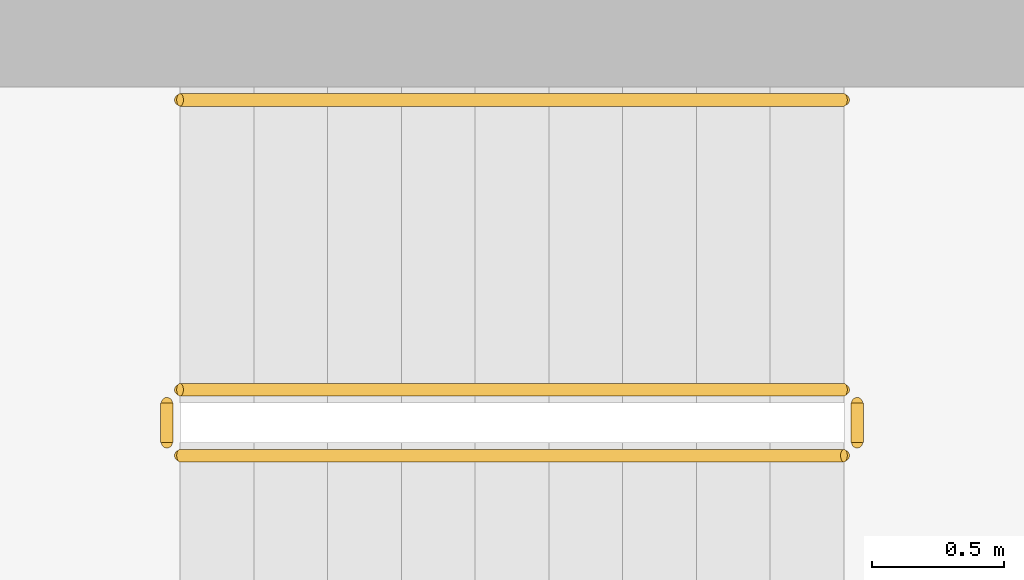
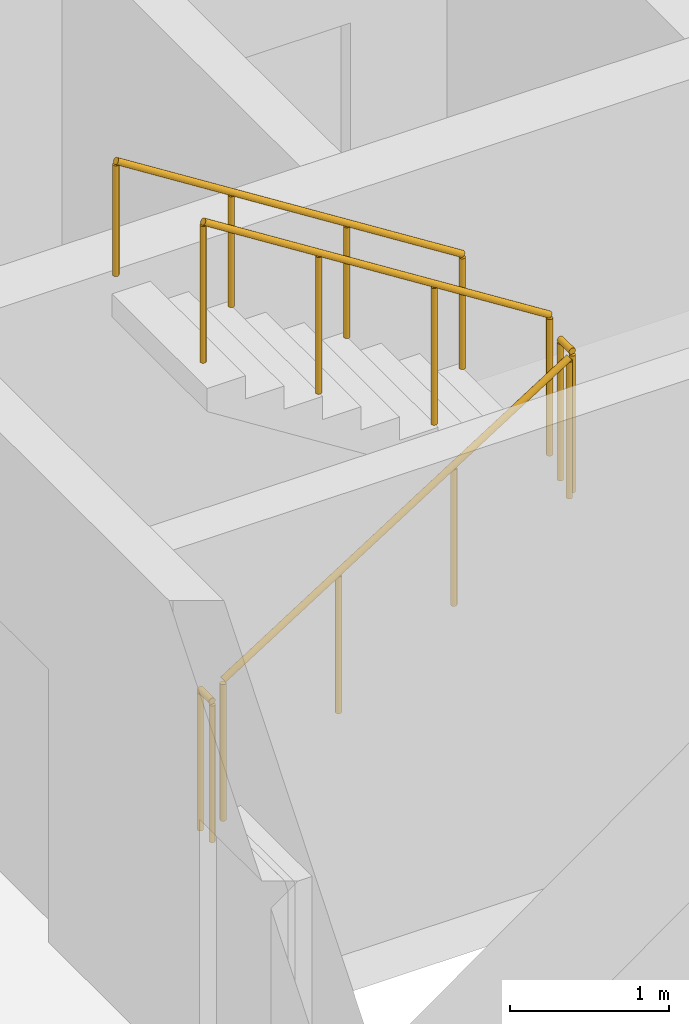
# One storey, part 13 of 15: 5 railings.
"""IFC4 building model written with IfcOpenShell, lengths in metres."""

import ifcopenshell
import ifcopenshell.guid

model = None  # the IFC model being written
_history = None  # IfcOwnerHistory: only IFC2X3 demands one
_inside = {}  # id of a spatial element -> (the spatial element, [elements in it])
_under = {}  # id of a project, library or spatial element -> (it, [spatial elements below it])
_declared = {}  # id of a project -> (the project, [libraries it declares])
_typed = {}  # id of a type object -> (the type object, [elements of that type])
_made_of = {}  # id of a material, layer set ... -> (it, [elements and type objects made of it])


def new_model(schema):
    """Start an empty IFC model of exactly this schema.

    Asked for "IFC4X3", IfcOpenShell would pick the latest addendum, in which some entities
    have other attributes; the version numbers below select the first issue.
    IFC2X3 requires an IfcOwnerHistory on every rooted entity: one is made here for all.
    """
    global model, _history
    if schema == "IFC4X3":
        model = ifcopenshell.file(schema_version=(4, 3, 0, 0))
    else:
        model = ifcopenshell.file(schema=schema)
    _inside.clear()
    _under.clear()
    _declared.clear()
    _typed.clear()
    _made_of.clear()
    _history = None
    if model.schema == "IFC2X3":
        org = make("IfcOrganization", Name="unknown")
        user = make(
            "IfcPersonAndOrganization",
            ThePerson=make("IfcPerson", FamilyName="unknown"),
            TheOrganization=org,
        )
        app = make(
            "IfcApplication",
            ApplicationDeveloper=org,
            Version="unknown",
            ApplicationFullName="unknown",
            ApplicationIdentifier="unknown",
        )
        _history = make(
            "IfcOwnerHistory",
            OwningUser=user,
            OwningApplication=app,
            ChangeAction="ADDED",
            CreationDate=0,
        )
    return model


def make(cls, **values):
    """One entity of the class cls with the attributes given. An attribute that is None is left unset."""
    return model.create_entity(
        cls, **{name: value for name, value in values.items() if value is not None}
    )


def rooted(cls, **values):
    """An entity with a GlobalId (a new one), such as an element, a storey or a relation."""
    return make(cls, GlobalId=ifcopenshell.guid.new(), OwnerHistory=_history, **values)


def si_unit(unit_type, name, prefix=None):
    """IfcSIUnit, for example si_unit("LENGTHUNIT", "METRE", prefix="MILLI")."""
    return make("IfcSIUnit", UnitType=unit_type, Prefix=prefix, Name=name)


def assignment(units):
    """IfcUnitAssignment: the units of a project."""
    return None if units is None else make("IfcUnitAssignment", Units=units)


def point(xyz):
    """IfcCartesianPoint."""
    return None if xyz is None else make("IfcCartesianPoint", Coordinates=xyz)


def direction(xyz):
    """IfcDirection."""
    return None if xyz is None else make("IfcDirection", DirectionRatios=xyz)


def frame(location, z_axis=None, x_axis=None):
    """IfcAxis2Placement3D, a coordinate frame: its origin and axes. An axis left out is left unset."""
    return make(
        "IfcAxis2Placement3D",
        Location=point(location),
        Axis=direction(z_axis),
        RefDirection=direction(x_axis),
    )


def frame_2d(location, x_axis=None):
    """IfcAxis2Placement2D, a coordinate frame in the plane: its origin and x axis."""
    return make(
        "IfcAxis2Placement2D", Location=point(location), RefDirection=direction(x_axis)
    )


def origin():
    """The frame at (0, 0, 0) with its axes left unset."""
    return frame((0.0, 0.0, 0.0))


def origin_2d():
    """The frame at (0, 0) in the plane with its x axis left unset."""
    return frame_2d((0.0, 0.0))


def place(relative_to, where):
    """IfcLocalPlacement: puts the frame where relative to a parent placement (None: the world)."""
    return make(
        "IfcLocalPlacement", PlacementRelTo=relative_to, RelativePlacement=where
    )


def context(
    kind, dimensions, precision=None, world=None, true_north=None, identifier=None
):
    """IfcGeometricRepresentationContext, for example the 3D "Model" context."""
    return make(
        "IfcGeometricRepresentationContext",
        ContextIdentifier=identifier,
        ContextType=kind,
        CoordinateSpaceDimension=dimensions,
        Precision=precision,
        WorldCoordinateSystem=world,
        TrueNorth=true_north,
    )


def subcontext(parent, identifier, kind, view, scale=None):
    """IfcGeometricRepresentationSubContext, for example "Body" below "Model"."""
    return make(
        "IfcGeometricRepresentationSubContext",
        ContextIdentifier=identifier,
        ContextType=kind,
        ParentContext=parent,
        TargetScale=scale,
        TargetView=view,
    )


def project(units=None, contexts=None):
    """IfcProject with its units and contexts."""
    return rooted(
        "IfcProject",
        Name="project",
        RepresentationContexts=contexts,
        UnitsInContext=assignment(units),
    )


def spatial(cls, under=None, at=None, **own):
    """A site, building, storey or space (cls), placed at a placement, below another one or the project."""
    s = rooted(cls, ObjectPlacement=at, **own)
    if under is not None:
        _under.setdefault(under.id(), (under, []))[1].append(s)
    return s


def profile(cls, at=None, kind="AREA", **sizes):
    """A parametric profile (cls). Its sizes go by their IFC names, for example OverallWidth=200.0."""
    return make(cls, ProfileType=kind, Position=at, **sizes)


def circle(**sizes):
    """IfcCircleProfileDef."""
    return profile("IfcCircleProfileDef", **sizes)


def extrude(swept, where, along, depth):
    """IfcExtrudedAreaSolid: the profile swept, set in the frame where, extruded along a direction by depth."""
    return make(
        "IfcExtrudedAreaSolid",
        SweptArea=swept,
        Position=where,
        ExtrudedDirection=direction(along),
        Depth=depth,
    )


def shape(context_of_items, identifier, shape_type, items):
    """IfcShapeRepresentation: the items that make up one representation, for example the "Body"."""
    return make(
        "IfcShapeRepresentation",
        ContextOfItems=context_of_items,
        RepresentationIdentifier=identifier,
        RepresentationType=shape_type,
        Items=items,
    )


def material(Name=None, Category=None):
    """IfcMaterial."""
    return make("IfcMaterial", Name=Name, Category=Category)


def made_of(thing, what):
    """Note that an element or type object is made of a material, layer set ...; save() writes the relation."""
    if what is not None:
        _made_of.setdefault(what.id(), (what, []))[1].append(thing)
    return thing


def type_object(cls, material=None, **own):
    """A type object (cls), such as IfcWallType, which elements share."""
    return made_of(rooted(cls, **own), material)


def element(
    cls,
    number,
    at=None,
    inside=None,
    cuts=None,
    type_object=None,
    material=None,
    context=None,
    identifier="Body",
    shape_type=None,
    held_by="IfcProductDefinitionShape",
    body=None,
    shapes=None,
    **own,
):
    """One element of the class cls, such as IfcWall. Its Tag is "e" and its number.

    at: its placement. inside: the storey or other place that contains it. cuts: it is an
    opening in that element (IfcRelVoidsElement). A single representation is given by context,
    identifier, shape_type and body (its items); several are given by shapes. held_by: the class
    of the entity that holds the representations. save() writes the other relations.
    """
    e = rooted(cls, Tag="e%d" % number, ObjectPlacement=at, **own)
    if body is not None:
        shapes = [shape(context, identifier, shape_type, body)]
    if shapes is not None:
        e.Representation = make(held_by, Representations=shapes)
    if inside is not None:
        _inside.setdefault(inside.id(), (inside, []))[1].append(e)
    if cuts is not None:
        rooted(
            "IfcRelVoidsElement", RelatingBuildingElement=cuts, RelatedOpeningElement=e
        )
    if type_object is not None:
        _typed.setdefault(type_object.id(), (type_object, []))[1].append(e)
    return made_of(e, material)


def aggregate(whole, parts):
    """IfcRelAggregates: a whole, such as a stair, and the parts it consists of."""
    return rooted("IfcRelAggregates", RelatingObject=whole, RelatedObjects=parts)


def save(model, path):
    """Write the relations noted so far, then the file.

    IfcRelAggregates (storeys below a building ...), IfcRelContainedInSpatialStructure (elements
    in a storey), IfcRelDefinesByType, IfcRelAssociatesMaterial and IfcRelDeclares: one each for
    every whole, place, type object, material and project.
    """
    for whole, parts in _under.values():
        aggregate(whole, parts)
    for where, things in _inside.values():
        rooted(
            "IfcRelContainedInSpatialStructure",
            RelatedElements=things,
            RelatingStructure=where,
        )
    for kind, things in _typed.values():
        rooted("IfcRelDefinesByType", RelatedObjects=things, RelatingType=kind)
    for what, things in _made_of.values():
        rooted("IfcRelAssociatesMaterial", RelatedObjects=things, RelatingMaterial=what)
    for by, libraries in _declared.values():
        rooted("IfcRelDeclares", RelatingContext=by, RelatedDefinitions=libraries)
    model.write(path)


model = new_model("IFC4")

# Units and contexts
model_context = context("Model", 3, precision=1e-05, world=origin(), true_north=direction((0.0, 1.0)))
body_context = subcontext(model_context, "Body", "Model", "MODEL_VIEW")
ifc_project = project(units=[si_unit("LENGTHUNIT", "METRE"), si_unit("AREAUNIT", "SQUARE_METRE"), si_unit("VOLUMEUNIT", "CUBIC_METRE"), si_unit("PLANEANGLEUNIT", "RADIAN"), si_unit("MASSUNIT", "GRAM", prefix="KILO")], contexts=[model_context])

# Site, building, storey
site_placement = place(None, origin())
site = spatial("IfcSite", under=ifc_project, at=site_placement, CompositionType="ELEMENT")
building_placement = place(site_placement, origin())
building = spatial("IfcBuilding", under=site, at=building_placement, Name="Ostrand Prow Hotel Tower", CompositionType="ELEMENT")
storey_placement = place(building_placement, frame((0.0, 0.0, 292.75)))
storey = spatial("IfcBuildingStorey", under=building, at=storey_placement, Name="L74", CompositionType="ELEMENT", Elevation=292.75)

# Railings
ifc_material_1 = material(Name="Painted steel", Category="steel")
railing_type_1 = type_object("IfcRailingType", Name="Stair guard 1100", PredefinedType="GUARDRAIL", material=ifc_material_1)
railing_1_placement = place(storey_placement, frame((57.199951171875, -11.75, 0.177490234375)))
element("IfcRailing", 1, at=railing_1_placement, inside=storey, type_object=railing_type_1, Name="L74 ST2C stair guard 1", PredefinedType="GUARDRAIL", context=body_context, shape_type="SweptSolid", body=[
    extrude(circle(Radius=0.02392578125, at=origin_2d()), frame((0.0, 0.0, 1.076171875), z_axis=(0.84460694969, 0.0, 0.535386869969), x_axis=(0.0, 1.0, 0.0)), (0.0, 0.0, 1.0), 2.983642578125),
    extrude(circle(Radius=0.02099609375, at=origin_2d()), origin(), (0.0, 0.0, 1.0), 1.052001953125),
    extrude(circle(Radius=0.02099609375, at=origin_2d()), frame((0.840087890625, 0.0, 0.532470703125)), (0.0, 0.0, 1.0), 1.052001953125),
    extrude(circle(Radius=0.02099609375, at=origin_2d()), frame((1.679931640625, 0.0, 1.06494140625)), (0.0, 0.0, 1.0), 1.052001953125),
    extrude(circle(Radius=0.02099609375, at=origin_2d()), frame((2.52001953125, 0.0, 1.597412109375)), (0.0, 0.0, 1.0), 1.052001953125),
])
railing_2_placement = place(storey_placement, frame((59.77001953125, -11.699951171875, 1.77490234375)))
element("IfcRailing", 2, at=railing_2_placement, inside=storey, type_object=railing_type_1, Name="L74 ST2C stair guard 2", PredefinedType="GUARDRAIL", context=body_context, shape_type="SweptSolid", body=[
    extrude(circle(Radius=0.02392578125, at=origin_2d()), frame((0.0, 0.0, 1.076171875), z_axis=(0.0, 1.0, 0.0), x_axis=(-1.0, 0.0, 0.0)), (0.0, 0.0, 1.0), 0.14990234375),
    extrude(circle(Radius=0.02099609375, at=origin_2d()), origin(), (0.0, 0.0, 1.0), 1.052001953125),
    extrude(circle(Radius=0.02099609375, at=origin_2d()), frame((0.0, 0.14990234375, 0.0)), (0.0, 0.0, 1.0), 1.052001953125),
])
railing_3_placement = place(storey_placement, frame((59.719970703125, -11.5, 1.952392578125)))
element("IfcRailing", 3, at=railing_3_placement, inside=storey, type_object=railing_type_1, Name="L74 ST2C stair guard 3", PredefinedType="GUARDRAIL", context=body_context, shape_type="SweptSolid", body=[
    extrude(circle(Radius=0.02392578125, at=origin_2d()), frame((0.0, 0.0, 1.076171875), z_axis=(-0.84456994832, 0.0, 0.535445237532), x_axis=(0.0, -1.0, 0.0)), (0.0, 0.0, 1.0), 2.98388671875),
    extrude(circle(Radius=0.02099609375, at=origin_2d()), origin(), (0.0, 0.0, 1.0), 1.052001953125),
    extrude(circle(Radius=0.02099609375, at=origin_2d()), frame((-0.840087890625, 0.0, 0.532470703125)), (0.0, 0.0, 1.0), 1.052001953125),
    extrude(circle(Radius=0.02099609375, at=origin_2d()), frame((-1.679931640625, 0.0, 1.065185546875)), (0.0, 0.0, 1.0), 1.052001953125),
    extrude(circle(Radius=0.02099609375, at=origin_2d()), frame((-2.52001953125, 0.0, 1.59765625)), (0.0, 0.0, 1.0), 1.052001953125),
])
railing_4_placement = place(storey_placement, frame((57.14990234375, -11.699951171875, 0.0)))
element("IfcRailing", 4, at=railing_4_placement, inside=storey, type_object=railing_type_1, Name="L74 ST2C stair guard 4", PredefinedType="GUARDRAIL", context=body_context, shape_type="SweptSolid", body=[
    extrude(circle(Radius=0.02392578125, at=origin_2d()), frame((0.0, 0.0, 1.076171875), z_axis=(0.0, 1.0, 0.0), x_axis=(-1.0, 0.0, 0.0)), (0.0, 0.0, 1.0), 0.14990234375),
    extrude(circle(Radius=0.02099609375, at=origin_2d()), origin(), (0.0, 0.0, 1.0), 1.052001953125),
    extrude(circle(Radius=0.02099609375, at=origin_2d()), frame((0.0, 0.14990234375, 0.0)), (0.0, 0.0, 1.0), 1.052001953125),
])
ifc_material_2 = material(Name="Stainless steel", Category="steel")
railing_type_2 = type_object("IfcRailingType", Name="Stair handrail 900", PredefinedType="HANDRAIL", material=ifc_material_2)
railing_5_placement = place(storey_placement, frame((59.719970703125, -10.39990234375, 1.952392578125)))
element("IfcRailing", 5, at=railing_5_placement, inside=storey, type_object=railing_type_2, Name="L74 ST2C stair handrail 2", PredefinedType="HANDRAIL", context=body_context, shape_type="SweptSolid", body=[
    extrude(circle(Radius=0.02392578125, at=origin_2d()), frame((0.0, 0.0, 0.8759765625), z_axis=(-0.84456994832, 0.0, 0.535445237532), x_axis=(0.0, -1.0, 0.0)), (0.0, 0.0, 1.0), 2.98388671875),
    extrude(circle(Radius=0.02099609375, at=origin_2d()), origin(), (0.0, 0.0, 1.0), 0.851806640625),
    extrude(circle(Radius=0.02099609375, at=origin_2d()), frame((-0.840087890625, 0.0, 0.532470703125)), (0.0, 0.0, 1.0), 0.851806640625),
    extrude(circle(Radius=0.02099609375, at=origin_2d()), frame((-1.679931640625, 0.0, 1.065185546875)), (0.0, 0.0, 1.0), 0.851806640625),
    extrude(circle(Radius=0.02099609375, at=origin_2d()), frame((-2.52001953125, 0.0, 1.59765625)), (0.0, 0.0, 1.0), 0.851806640625),
])

save(model, "model.ifc")
